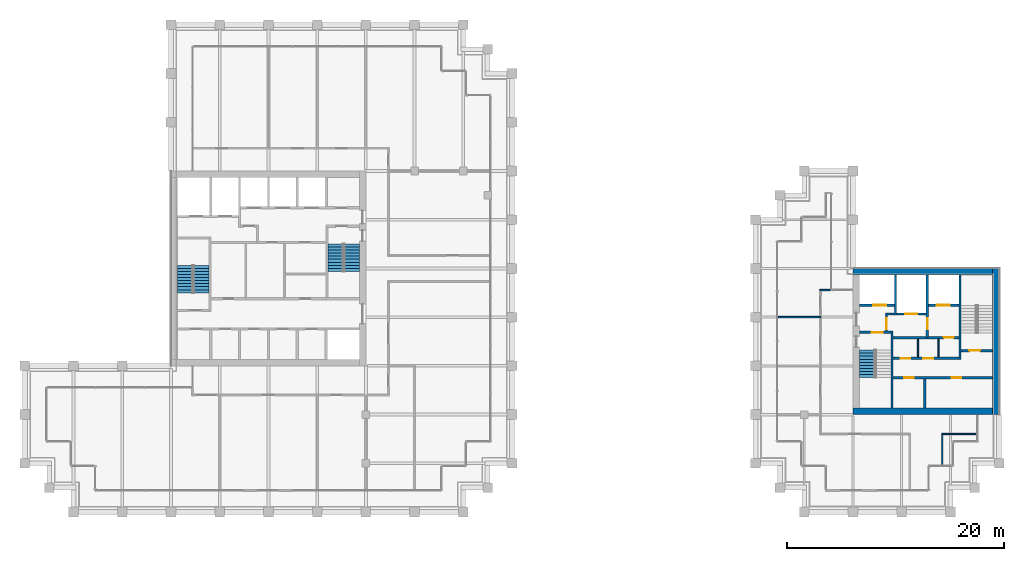
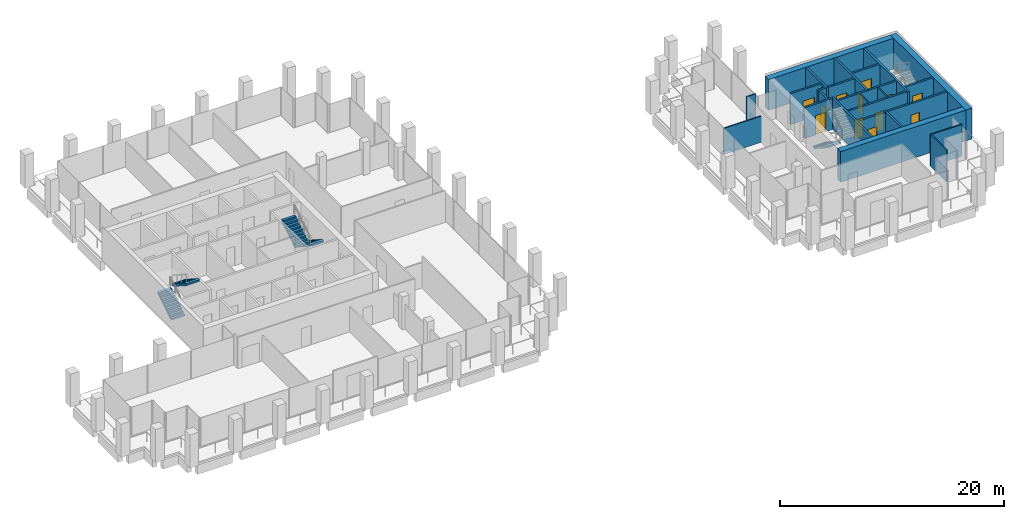
# One storey, part 38 of 40: 24 walls, 12 doors, 5 stair flights, 12 openings, 3 elements without a shape of their own.
"""IFC4 building model written with IfcOpenShell, lengths in metres."""

from ifc_helpers import new_model, si_unit, direction, frame, frame_2d, origin, place, context, subcontext, project, spatial, polyline, rectangle, outline, extrude, material, layer, layer_set, type_object, element, fill, aggregate, save


model = new_model("IFC4")

# Units and contexts
model_context = context("Model", 3, precision=1e-05, world=origin(), true_north=direction((0.0, 1.0)))
body_context = subcontext(model_context, "Body", "Model", "MODEL_VIEW")
ifc_project = project(units=[si_unit("LENGTHUNIT", "METRE"), si_unit("AREAUNIT", "SQUARE_METRE"), si_unit("VOLUMEUNIT", "CUBIC_METRE"), si_unit("PLANEANGLEUNIT", "RADIAN"), si_unit("MASSUNIT", "GRAM", prefix="KILO")], contexts=[model_context])

# Site, building, storey
site_placement = place(None, origin())
site = spatial("IfcSite", under=ifc_project, at=site_placement, CompositionType="ELEMENT")
building_placement = place(site_placement, origin())
building = spatial("IfcBuilding", under=site, at=building_placement, Name="Altepetl Exchange Towers", CompositionType="ELEMENT")
storey_placement = place(building_placement, frame((0.0, 0.0, 169.0)))
storey = spatial("IfcBuildingStorey", under=building, at=storey_placement, Name="L42", CompositionType="ELEMENT", Elevation=169.0)

# Walls
ifc_material_1 = material(Name="Concrete C70/85", Category="concrete")
ifc_layer_1 = layer(ifc_material_1, 0.60009765625)
ifc_layer_set_1 = layer_set([ifc_layer_1], Name="Concrete C70/85")
wall_type_1 = type_object("IfcWallType", Name="Core wall 600 reinforced concrete", PredefinedType="SHEAR", material=ifc_layer_set_1)
wall_1_placement = place(storey_placement, frame((103.5, 36.300048828125, 0.0)))
element("IfcWall", 1, at=wall_1_placement, inside=storey, type_object=wall_type_1, Name="wall:B:L42:K-coreS", PredefinedType="SHEAR", context=body_context, shape_type="SweptSolid", body=[
    extrude(rectangle(XDim=12.89990234375, YDim=0.60009765625, at=frame_2d((6.449951171875, 0.0))), origin(), (0.0, 0.0, 1.0), 3.35009765625),
])
ifc_layer_2 = layer(ifc_material_1, 0.60009765625)
ifc_layer_set_2 = layer_set([ifc_layer_2], Name="Concrete C70/85")
wall_type_2 = type_object("IfcWallType", Name="Core wall 600 reinforced concrete external", PredefinedType="SHEAR", material=ifc_layer_set_2)
wall_2_placement = place(storey_placement, frame((116.699951171875, 36.0, 0.0), z_axis=(0.0, 0.0, 1.0), x_axis=(0.0, 1.0, 0.0)))
element("IfcWall", 2, at=wall_2_placement, inside=storey, type_object=wall_type_2, Name="wall:B:L42:K-coreE", PredefinedType="SHEAR", context=body_context, shape_type="SweptSolid", body=[
    extrude(rectangle(XDim=13.5, YDim=0.60009765625, at=frame_2d((6.75, 0.0))), origin(), (0.0, 0.0, 1.0), 3.35009765625),
])
wall_3_placement = place(storey_placement, frame((103.5, 49.199951171875, 0.0)))
element("IfcWall", 3, at=wall_3_placement, inside=storey, type_object=wall_type_2, Name="wall:B:L42:K-coreN", PredefinedType="SHEAR", context=body_context, shape_type="SweptSolid", body=[
    extrude(rectangle(XDim=12.89990234375, YDim=0.60009765625, at=frame_2d((6.449951171875, 0.0))), origin(), (0.0, 0.0, 1.0), 3.35009765625),
])
ifc_material_2 = material(Name="Concrete blockwork", Category="masonry")
ifc_layer_3 = layer(ifc_material_2, 0.199951171875)
ifc_layer_set_3 = layer_set([ifc_layer_3], Name="Concrete blockwork")
wall_type_3 = type_object("IfcWallType", Name="Lobby wall 200 blockwork", PredefinedType="PARTITIONING", material=ifc_layer_set_3)
wall_4_placement = place(storey_placement, frame((106.5, 45.300048828125, 0.0)))
element("IfcWall", 4, at=wall_4_placement, inside=storey, type_object=wall_type_3, Name="wall:B:L42:K-ffNw", PredefinedType="PARTITIONING", context=body_context, shape_type="SweptSolid", body=[
    extrude(rectangle(XDim=0.833251953125, YDim=0.199951171875, at=frame_2d((0.41650390625, 0.0))), origin(), (0.0, 0.0, 1.0), 3.35009765625),
])

# Wall, opening, door
wall_5_placement = place(storey_placement, frame((106.60009765625, 43.699951171875, 0.0), z_axis=(0.0, 0.0, 1.0), x_axis=(0.0, 1.0, 0.0)))
wall_5 = element("IfcWall", 5, at=wall_5_placement, inside=storey, type_object=wall_type_3, Name="wall:B:L42:K-ffW", PredefinedType="PARTITIONING", context=body_context, shape_type="SweptSolid", body=[
    extrude(rectangle(XDim=1.5, YDim=0.199951171875, at=frame_2d((0.75, 0.0))), origin(), (0.0, 0.0, 1.0), 3.35009765625),
])
opening_1_placement = place(wall_5_placement, frame((0.199951171875, 0.0, 0.0)))
opening_1 = element("IfcOpeningElement", 6, at=opening_1_placement, cuts=wall_5, Name="Opening L42.B65", PredefinedType="OPENING", context=body_context, shape_type="SweptSolid", body=[
    extrude(rectangle(XDim=1.0, YDim=2.10009765625, at=frame_2d((0.5, 1.050048828125))), frame((0.0, 0.10986328125, 0.0), z_axis=(0.0, -1.0, 0.0), x_axis=(1.0, 0.0, 0.0)), (0.0, 0.0, 1.0), 0.219970703125),
])
ifc_material_3 = material(Name="Steel and timber fire door", Category="steel")
door_type_1 = type_object("IfcDoorType", Name="Fire door 1000 x 2100 stair and lobby", OperationType="SINGLE_SWING_LEFT", PredefinedType="DOOR", material=ifc_material_3)
door_1_placement = place(opening_1_placement, frame((1.0, 0.0, 0.0), x_axis=(-1.0, 0.0, 0.0)))
door_1 = element("IfcDoor", 7, at=door_1_placement, inside=storey, type_object=door_type_1, Name="door:B:L42:K-dffW", OperationType="SINGLE_SWING_LEFT", OverallHeight=2.10009765625, OverallWidth=1.0, PredefinedType="DOOR", context=body_context, shape_type="SweptSolid", body=[
    extrude(rectangle(XDim=1.0, YDim=2.10009765625, at=frame_2d((0.5, 1.050048828125))), frame((0.0, 0.02490234375, 0.0), z_axis=(0.0, -1.0, 0.0), x_axis=(1.0, 0.0, 0.0)), (0.0, 0.0, 1.0), 0.050048828125),
])
fill(opening_1, door_1)

wall_6_placement = place(storey_placement, frame((107.199951171875, 43.10009765625, 0.0)))
wall_6 = element("IfcWall", 8, at=wall_6_placement, inside=storey, type_object=wall_type_3, Name="wall:B:L42:K-zoneN", PredefinedType="PARTITIONING", context=body_context, shape_type="SweptSolid", body=[
    extrude(rectangle(XDim=6.10009765625, YDim=0.199951171875, at=frame_2d((3.050048828125, 0.0))), origin(), (0.0, 0.0, 1.0), 3.35009765625),
])
opening_2_placement = place(wall_6_placement, frame((4.699951171875, 0.0, 0.0)))
opening_2 = element("IfcOpeningElement", 9, at=opening_2_placement, cuts=wall_6, Name="Opening L42.B70", PredefinedType="OPENING", context=body_context, shape_type="SweptSolid", body=[
    extrude(rectangle(XDim=0.89990234375, YDim=2.10009765625, at=frame_2d((0.449951171875, 1.050048828125))), frame((0.0, 0.10986328125, 0.0), z_axis=(0.0, -1.0, 0.0), x_axis=(1.0, 0.0, 0.0)), (0.0, 0.0, 1.0), 0.219970703125),
])
door_type_2 = type_object("IfcDoorType", Name="Fire door 900 x 2100 service room", OperationType="SINGLE_SWING_LEFT", PredefinedType="DOOR", material=ifc_material_3)
door_2_placement = place(opening_2_placement, frame((0.89990234375, 0.0, 0.0), x_axis=(-1.0, 0.0, 0.0)))
door_2 = element("IfcDoor", 10, at=door_2_placement, inside=storey, type_object=door_type_2, Name="door:B:L42:K-dz3", OperationType="SINGLE_SWING_LEFT", OverallHeight=2.10009765625, OverallWidth=0.89990234375, PredefinedType="DOOR", context=body_context, shape_type="SweptSolid", body=[
    extrude(rectangle(XDim=0.89990234375, YDim=2.10009765625, at=frame_2d((0.449951171875, 1.050048828125))), frame((0.0, 0.02490234375, 0.0), z_axis=(0.0, -1.0, 0.0), x_axis=(1.0, 0.0, 0.0)), (0.0, 0.0, 1.0), 0.050048828125),
])
fill(opening_2, door_2)

# Wall, openings, doors
wall_7_placement = place(storey_placement, frame((107.199951171875, 41.199951171875, 0.0)))
wall_7 = element("IfcWall", 11, at=wall_7_placement, inside=storey, type_object=wall_type_3, Name="wall:B:L42:K-zoneS", PredefinedType="PARTITIONING", context=body_context, shape_type="SweptSolid", body=[
    extrude(rectangle(XDim=6.10009765625, YDim=0.199951171875, at=frame_2d((3.050048828125, 0.0))), origin(), (0.0, 0.0, 1.0), 3.35009765625),
])
opening_3_placement = place(wall_7_placement, frame((0.699951171875, 0.0, 0.0)))
opening_3 = element("IfcOpeningElement", 12, at=opening_3_placement, cuts=wall_7, Name="Opening L42.B68", PredefinedType="OPENING", context=body_context, shape_type="SweptSolid", body=[
    extrude(rectangle(XDim=0.89990234375, YDim=2.10009765625, at=frame_2d((0.449951171875, 1.050048828125))), frame((0.0, 0.10986328125, 0.0), z_axis=(0.0, -1.0, 0.0), x_axis=(1.0, 0.0, 0.0)), (0.0, 0.0, 1.0), 0.219970703125),
])
opening_4_placement = place(wall_7_placement, frame((2.800048828125, 0.0, 0.0)))
opening_4 = element("IfcOpeningElement", 13, at=opening_4_placement, cuts=wall_7, Name="Opening L42.B69", PredefinedType="OPENING", context=body_context, shape_type="SweptSolid", body=[
    extrude(rectangle(XDim=0.89990234375, YDim=2.10009765625, at=frame_2d((0.449951171875, 1.050048828125))), frame((0.0, 0.10986328125, 0.0), z_axis=(0.0, -1.0, 0.0), x_axis=(1.0, 0.0, 0.0)), (0.0, 0.0, 1.0), 0.219970703125),
])
door_3_placement = place(opening_3_placement, origin())
door_3 = element("IfcDoor", 14, at=door_3_placement, inside=storey, type_object=door_type_2, Name="door:B:L42:K-dz1", OperationType="SINGLE_SWING_RIGHT", OverallHeight=2.10009765625, OverallWidth=0.89990234375, PredefinedType="DOOR", context=body_context, shape_type="SweptSolid", body=[
    extrude(rectangle(XDim=0.89990234375, YDim=2.10009765625, at=frame_2d((0.449951171875, 1.050048828125))), frame((0.0, 0.02490234375, 0.0), z_axis=(0.0, -1.0, 0.0), x_axis=(1.0, 0.0, 0.0)), (0.0, 0.0, 1.0), 0.050048828125),
])
fill(opening_3, door_3)
door_4_placement = place(opening_4_placement, origin())
door_4 = element("IfcDoor", 15, at=door_4_placement, inside=storey, type_object=door_type_2, Name="door:B:L42:K-dz2", OperationType="SINGLE_SWING_RIGHT", OverallHeight=2.10009765625, OverallWidth=0.89990234375, PredefinedType="DOOR", context=body_context, shape_type="SweptSolid", body=[
    extrude(rectangle(XDim=0.89990234375, YDim=2.10009765625, at=frame_2d((0.449951171875, 1.050048828125))), frame((0.0, 0.02490234375, 0.0), z_axis=(0.0, -1.0, 0.0), x_axis=(1.0, 0.0, 0.0)), (0.0, 0.0, 1.0), 0.050048828125),
])
fill(opening_4, door_4)

# Walls
ifc_material_4 = material(Name="Gypsum board on steel studs", Category="steel")
ifc_layer_4 = layer(ifc_material_4, 0.125)
ifc_layer_set_4 = layer_set([ifc_layer_4], Name="Gypsum board on steel studs")
wall_type_4 = type_object("IfcWallType", Name="Partition 125 gypsum board on steel studs", PredefinedType="PARTITIONING", material=ifc_layer_set_4)
for number, where, z_axis, x_axis, name in (
    (16, (109.5, 41.300048828125, 0.0), (0.0, 0.0, 1.0), (0.0, 1.0, 0.0), "wall:B:L42:K-zp1"),
    (17, (111.39990234375, 41.300048828125, 0.0), (0.0, 0.0, 1.0), (0.0, 1.0, 0.0), "wall:B:L42:K-zp2"),
):
    element("IfcWall", number, at=place(storey_placement, frame(where, z_axis=z_axis, x_axis=x_axis)), inside=storey, type_object=wall_type_4, Name=name, PredefinedType="PARTITIONING", context=body_context, shape_type="SweptSolid", body=[
        extrude(rectangle(XDim=1.699951171875, YDim=0.125, at=frame_2d((0.85009765625, 0.0))), origin(), (0.0, 0.0, 1.0), 3.35009765625),
    ])
wall_8_placement = place(storey_placement, frame((111.6875, 34.199951171875, 0.0)))
element("IfcWall", 18, at=wall_8_placement, inside=storey, type_object=wall_type_4, Name="wall:B:L42:P02", PredefinedType="PARTITIONING", context=body_context, shape_type="SweptSolid", body=[
    extrude(rectangle(XDim=3.21240234375, YDim=0.125, at=frame_2d((1.606201171875, 0.0))), origin(), (0.0, 0.0, 1.0), 3.449951171875),
])
wall_9_placement = place(storey_placement, frame((96.60009765625, 45.0, 0.0)))
element("IfcWall", 19, at=wall_9_placement, inside=storey, type_object=wall_type_4, Name="wall:B:L42:P06", PredefinedType="PARTITIONING", context=body_context, shape_type="SweptSolid", body=[
    extrude(rectangle(XDim=3.89990234375, YDim=0.125, at=frame_2d((1.949951171875, 0.0))), origin(), (0.0, 0.0, 1.0), 2.85107421875),
])
wall_10_placement = place(storey_placement, frame((100.4375, 47.5, 0.0)))
element("IfcWall", 20, at=wall_10_placement, inside=storey, type_object=wall_type_4, Name="wall:B:L42:P07", PredefinedType="PARTITIONING", context=body_context, shape_type="SweptSolid", body=[
    extrude(rectangle(XDim=0.96240234375, YDim=0.125, at=frame_2d((0.481201171875, 0.0))), origin(), (0.0, 0.0, 1.0), 3.449951171875),
])
wall_11_placement = place(storey_placement, frame((111.75, 31.35009765625, 0.0), z_axis=(0.0, 0.0, 1.0), x_axis=(0.0, 1.0, 0.0)))
element("IfcWall", 21, at=wall_11_placement, inside=storey, type_object=wall_type_4, Name="wall:B:L42:P10", PredefinedType="PARTITIONING", context=body_context, shape_type="SweptSolid", body=[
    extrude(rectangle(XDim=2.787353515625, YDim=0.125, at=frame_2d((1.3935546875, 0.0))), origin(), (0.0, 0.0, 1.0), 3.449951171875),
])
ifc_material_5 = material(Name="Concrete C40/50", Category="concrete")
ifc_layer_5 = layer(ifc_material_5, 0.199951171875)
ifc_layer_set_5 = layer_set([ifc_layer_5], Name="Concrete C40/50")
wall_type_5 = type_object("IfcWallType", Name="Shaft wall 200 reinforced concrete", PredefinedType="SHEAR", material=ifc_layer_set_5)
wall_12_placement = place(storey_placement, frame((107.433349609375, 48.89990234375, 0.0), z_axis=(0.0, 0.0, 1.0), x_axis=(0.0, -1.0, 0.0)))
element("IfcWall", 22, at=wall_12_placement, inside=storey, type_object=wall_type_5, Name="wall:B:L42:K-divN1", PredefinedType="SHEAR", context=body_context, shape_type="SweptSolid", body=[
    extrude(rectangle(XDim=3.699951171875, YDim=0.199951171875, at=frame_2d((1.85009765625, 0.0))), origin(), (0.0, 0.0, 1.0), 3.35009765625),
])

# Wall, opening, door
wall_13_placement = place(storey_placement, frame((110.36669921875, 48.89990234375, 0.0), z_axis=(0.0, 0.0, 1.0), x_axis=(0.0, -1.0, 0.0)))
wall_13 = element("IfcWall", 23, at=wall_13_placement, inside=storey, type_object=wall_type_5, Name="wall:B:L42:K-divN2", PredefinedType="SHEAR", context=body_context, shape_type="SweptSolid", body=[
    extrude(rectangle(XDim=5.7998046875, YDim=0.199951171875, at=frame_2d((2.89990234375, 0.0))), origin(), (0.0, 0.0, 1.0), 3.35009765625),
])
opening_5_placement = place(wall_13_placement, frame((4.0, 0.0, 0.0)))
opening_5 = element("IfcOpeningElement", 24, at=opening_5_placement, cuts=wall_13, Name="Opening L42.B64", PredefinedType="OPENING", context=body_context, shape_type="SweptSolid", body=[
    extrude(rectangle(XDim=1.0, YDim=2.10009765625, at=frame_2d((0.5, 1.050048828125))), frame((0.0, 0.10986328125, 0.0), z_axis=(0.0, -1.0, 0.0), x_axis=(1.0, 0.0, 0.0)), (0.0, 0.0, 1.0), 0.219970703125),
])
door_5_placement = place(opening_5_placement, frame((1.0, 0.0, 0.0), x_axis=(-1.0, 0.0, 0.0)))
door_5 = element("IfcDoor", 25, at=door_5_placement, inside=storey, type_object=door_type_1, Name="door:B:L42:K-dffE", OperationType="SINGLE_SWING_RIGHT", OverallHeight=2.10009765625, OverallWidth=1.0, PredefinedType="DOOR", context=body_context, shape_type="SweptSolid", body=[
    extrude(rectangle(XDim=1.0, YDim=2.10009765625, at=frame_2d((0.5, 1.050048828125))), frame((0.0, 0.02490234375, 0.0), z_axis=(0.0, -1.0, 0.0), x_axis=(1.0, 0.0, 0.0)), (0.0, 0.0, 1.0), 0.050048828125),
])
fill(opening_5, door_5)

wall_14_placement = place(storey_placement, frame((104.10009765625, 46.10009765625, 0.0)))
wall_14 = element("IfcWall", 26, at=wall_14_placement, inside=storey, type_object=wall_type_5, Name="wall:B:L42:K-frontNa", PredefinedType="SHEAR", context=body_context, shape_type="SweptSolid", body=[
    extrude(rectangle(XDim=3.233154296875, YDim=0.199951171875, at=frame_2d((1.61669921875, 0.0))), origin(), (0.0, 0.0, 1.0), 3.35009765625),
])
opening_6_placement = place(wall_14_placement, frame((1.2666015625, 0.0, 0.0)))
opening_6 = element("IfcOpeningElement", 27, at=opening_6_placement, cuts=wall_14, Name="Opening L42.B72", PredefinedType="OPENING", context=body_context, shape_type="SweptSolid", body=[
    extrude(rectangle(XDim=1.199951171875, YDim=2.10009765625, at=frame_2d((0.60009765625, 1.050048828125))), frame((0.0, 0.10986328125, 0.0), z_axis=(0.0, -1.0, 0.0), x_axis=(1.0, 0.0, 0.0)), (0.0, 0.0, 1.0), 0.219970703125),
])
ifc_material_6 = material(Name="Stainless steel", Category="steel")
door_type_3 = type_object("IfcDoorType", Name="Lift landing door 1200 x 2100", OperationType="SLIDING_TO_LEFT", PredefinedType="DOOR", material=ifc_material_6)
door_6_placement = place(opening_6_placement, origin())
door_6 = element("IfcDoor", 28, at=door_6_placement, inside=storey, type_object=door_type_3, Name="Landing door P4", OperationType="SLIDING_TO_LEFT", OverallHeight=2.10009765625, OverallWidth=1.199951171875, PredefinedType="DOOR", context=body_context, shape_type="SweptSolid", body=[
    extrude(rectangle(XDim=1.199951171875, YDim=2.10009765625, at=frame_2d((0.60009765625, 1.050048828125))), frame((0.0, 0.02490234375, 0.0), z_axis=(0.0, -1.0, 0.0), x_axis=(1.0, 0.0, 0.0)), (0.0, 0.0, 1.0), 0.050048828125),
])
fill(opening_6, door_6)

wall_15_placement = place(storey_placement, frame((110.466796875, 46.10009765625, 0.0)))
wall_15 = element("IfcWall", 29, at=wall_15_placement, inside=storey, type_object=wall_type_5, Name="wall:B:L42:K-frontNb", PredefinedType="SHEAR", context=body_context, shape_type="SweptSolid", body=[
    extrude(rectangle(XDim=2.833251953125, YDim=0.199951171875, at=frame_2d((1.41650390625, 0.0))), origin(), (0.0, 0.0, 1.0), 3.35009765625),
])
opening_7_placement = place(wall_15_placement, frame((0.7666015625, 0.0, 0.0)))
opening_7 = element("IfcOpeningElement", 30, at=opening_7_placement, cuts=wall_15, Name="Opening L42.B73", PredefinedType="OPENING", context=body_context, shape_type="SweptSolid", body=[
    extrude(rectangle(XDim=1.199951171875, YDim=2.10009765625, at=frame_2d((0.60009765625, 1.050048828125))), frame((0.0, 0.10986328125, 0.0), z_axis=(0.0, -1.0, 0.0), x_axis=(1.0, 0.0, 0.0)), (0.0, 0.0, 1.0), 0.219970703125),
])
door_7_placement = place(opening_7_placement, origin())
door_7 = element("IfcDoor", 31, at=door_7_placement, inside=storey, type_object=door_type_3, Name="Landing door P5", OperationType="SLIDING_TO_LEFT", OverallHeight=2.10009765625, OverallWidth=1.199951171875, PredefinedType="DOOR", context=body_context, shape_type="SweptSolid", body=[
    extrude(rectangle(XDim=1.199951171875, YDim=2.10009765625, at=frame_2d((0.60009765625, 1.050048828125))), frame((0.0, 0.02490234375, 0.0), z_axis=(0.0, -1.0, 0.0), x_axis=(1.0, 0.0, 0.0)), (0.0, 0.0, 1.0), 0.050048828125),
])
fill(opening_7, door_7)

wall_16_placement = place(storey_placement, frame((107.533203125, 45.300048828125, 0.0)))
wall_16 = element("IfcWall", 32, at=wall_16_placement, inside=storey, type_object=wall_type_5, Name="wall:B:L42:K-frontNd", PredefinedType="SHEAR", context=body_context, shape_type="SweptSolid", body=[
    extrude(rectangle(XDim=2.7333984375, YDim=0.199951171875, at=frame_2d((1.36669921875, 0.0))), origin(), (0.0, 0.0, 1.0), 3.35009765625),
])
opening_8_placement = place(wall_16_placement, frame((0.816650390625, 0.0, 0.0)))
opening_8 = element("IfcOpeningElement", 33, at=opening_8_placement, cuts=wall_16, Name="Opening L42.B71", PredefinedType="OPENING", context=body_context, shape_type="SweptSolid", body=[
    extrude(rectangle(XDim=1.10009765625, YDim=2.10009765625, at=frame_2d((0.550048828125, 1.050048828125))), frame((0.0, 0.10986328125, 0.0), z_axis=(0.0, -1.0, 0.0), x_axis=(1.0, 0.0, 0.0)), (0.0, 0.0, 1.0), 0.219970703125),
])
door_type_4 = type_object("IfcDoorType", Name="Lift landing door 1100 x 2100", OperationType="SLIDING_TO_LEFT", PredefinedType="DOOR", material=ifc_material_6)
door_8_placement = place(opening_8_placement, origin())
door_8 = element("IfcDoor", 34, at=door_8_placement, inside=storey, type_object=door_type_4, Name="Landing door FFL1", OperationType="SLIDING_TO_LEFT", OverallHeight=2.10009765625, OverallWidth=1.10009765625, PredefinedType="DOOR", context=body_context, shape_type="SweptSolid", body=[
    extrude(rectangle(XDim=1.10009765625, YDim=2.10009765625, at=frame_2d((0.550048828125, 1.050048828125))), frame((0.0, 0.02490234375, 0.0), z_axis=(0.0, -1.0, 0.0), x_axis=(1.0, 0.0, 0.0)), (0.0, 0.0, 1.0), 0.050048828125),
])
fill(opening_8, door_8)

# Wall, openings, doors
wall_17_placement = place(storey_placement, frame((107.199951171875, 39.39990234375, 0.0)))
wall_17 = element("IfcWall", 35, at=wall_17_placement, inside=storey, type_object=wall_type_5, Name="wall:B:L42:K-frontS", PredefinedType="SHEAR", context=body_context, shape_type="SweptSolid", body=[
    extrude(rectangle(XDim=9.199951171875, YDim=0.199951171875, at=frame_2d((4.60009765625, 0.0))), origin(), (0.0, 0.0, 1.0), 3.35009765625),
])
opening_9_placement = place(wall_17_placement, frame((1.0166015625, 0.0, 0.0)))
opening_9 = element("IfcOpeningElement", 36, at=opening_9_placement, cuts=wall_17, Name="Opening L42.B66", PredefinedType="OPENING", context=body_context, shape_type="SweptSolid", body=[
    extrude(rectangle(XDim=0.89990234375, YDim=2.10009765625, at=frame_2d((0.449951171875, 1.050048828125))), frame((0.0, 0.10986328125, 0.0), z_axis=(0.0, -1.0, 0.0), x_axis=(1.0, 0.0, 0.0)), (0.0, 0.0, 1.0), 0.219970703125),
])
opening_10_placement = place(wall_17_placement, frame((5.416748046875, 0.0, 0.0)))
opening_10 = element("IfcOpeningElement", 37, at=opening_10_placement, cuts=wall_17, Name="Opening L42.B67", PredefinedType="OPENING", context=body_context, shape_type="SweptSolid", body=[
    extrude(rectangle(XDim=0.89990234375, YDim=2.10009765625, at=frame_2d((0.449951171875, 1.050048828125))), frame((0.0, 0.10986328125, 0.0), z_axis=(0.0, -1.0, 0.0), x_axis=(1.0, 0.0, 0.0)), (0.0, 0.0, 1.0), 0.219970703125),
])
door_9_placement = place(opening_9_placement, frame((0.89990234375, 0.0, 0.0), x_axis=(-1.0, 0.0, 0.0)))
door_9 = element("IfcDoor", 38, at=door_9_placement, inside=storey, type_object=door_type_2, Name="door:B:L42:K-dslotS0", OperationType="SINGLE_SWING_LEFT", OverallHeight=2.10009765625, OverallWidth=0.89990234375, PredefinedType="DOOR", context=body_context, shape_type="SweptSolid", body=[
    extrude(rectangle(XDim=0.89990234375, YDim=2.10009765625, at=frame_2d((0.449951171875, 1.050048828125))), frame((0.0, 0.02490234375, 0.0), z_axis=(0.0, -1.0, 0.0), x_axis=(1.0, 0.0, 0.0)), (0.0, 0.0, 1.0), 0.050048828125),
])
fill(opening_9, door_9)
door_10_placement = place(opening_10_placement, frame((0.89990234375, 0.0, 0.0), x_axis=(-1.0, 0.0, 0.0)))
door_10 = element("IfcDoor", 39, at=door_10_placement, inside=storey, type_object=door_type_2, Name="door:B:L42:K-dslotS1", OperationType="SINGLE_SWING_LEFT", OverallHeight=2.10009765625, OverallWidth=0.89990234375, PredefinedType="DOOR", context=body_context, shape_type="SweptSolid", body=[
    extrude(rectangle(XDim=0.89990234375, YDim=2.10009765625, at=frame_2d((0.449951171875, 1.050048828125))), frame((0.0, 0.02490234375, 0.0), z_axis=(0.0, -1.0, 0.0), x_axis=(1.0, 0.0, 0.0)), (0.0, 0.0, 1.0), 0.050048828125),
])
fill(opening_10, door_10)

# Walls
ifc_layer_6 = layer(ifc_material_1, 0.199951171875)
ifc_layer_set_6 = layer_set([ifc_layer_6], Name="Concrete C70/85")
wall_type_6 = type_object("IfcWallType", Name="Shear wall 200 reinforced concrete", PredefinedType="SHEAR", material=ifc_layer_set_6)
wall_18_placement = place(storey_placement, frame((110.13330078125, 36.60009765625, 0.0), z_axis=(0.0, 0.0, 1.0), x_axis=(0.0, 1.0, 0.0)))
element("IfcWall", 40, at=wall_18_placement, inside=storey, type_object=wall_type_6, Name="wall:B:L42:K-divS1", PredefinedType="SHEAR", context=body_context, shape_type="SweptSolid", body=[
    extrude(rectangle(XDim=2.699951171875, YDim=0.199951171875, at=frame_2d((1.35009765625, 0.0))), origin(), (0.0, 0.0, 1.0), 3.35009765625),
])
ifc_layer_7 = layer(ifc_material_5, 0.199951171875)
ifc_layer_set_7 = layer_set([ifc_layer_7], Name="Concrete C40/50")
wall_type_7 = type_object("IfcWallType", Name="Stair wall 200 reinforced concrete", PredefinedType="SHEAR", material=ifc_layer_set_7)
wall_19_placement = place(storey_placement, frame((107.10009765625, 36.60009765625, 0.0), z_axis=(0.0, 0.0, 1.0), x_axis=(0.0, 1.0, 0.0)))
element("IfcWall", 41, at=wall_19_placement, inside=storey, type_object=wall_type_7, Name="wall:B:L42:K-stS1E", PredefinedType="SHEAR", context=body_context, shape_type="SweptSolid", body=[
    extrude(rectangle(XDim=7.099853515625, YDim=0.199951171875, at=frame_2d((3.5498046875, 0.0))), origin(), (0.0, 0.0, 1.0), 3.35009765625),
])

# Wall, opening, door
wall_20_placement = place(storey_placement, frame((104.10009765625, 43.60009765625, 0.0)))
wall_20 = element("IfcWall", 42, at=wall_20_placement, inside=storey, type_object=wall_type_7, Name="wall:B:L42:K-stS1N", PredefinedType="SHEAR", context=body_context, shape_type="SweptSolid", body=[
    extrude(rectangle(XDim=2.89990234375, YDim=0.199951171875, at=frame_2d((1.449951171875, 0.0))), origin(), (0.0, 0.0, 1.0), 3.35009765625),
])
opening_11_placement = place(wall_20_placement, frame((1.14990234375, 0.0, 0.0)))
opening_11 = element("IfcOpeningElement", 43, at=opening_11_placement, cuts=wall_20, Name="Opening L42.B61", PredefinedType="OPENING", context=body_context, shape_type="SweptSolid", body=[
    extrude(rectangle(XDim=1.0, YDim=2.10009765625, at=frame_2d((0.5, 1.050048828125))), frame((0.0, 0.10986328125, 0.0), z_axis=(0.0, -1.0, 0.0), x_axis=(1.0, 0.0, 0.0)), (0.0, 0.0, 1.0), 0.219970703125),
])
door_11_placement = place(opening_11_placement, frame((1.0, 0.0, 0.0), x_axis=(-1.0, 0.0, 0.0)))
door_11 = element("IfcDoor", 44, at=door_11_placement, inside=storey, type_object=door_type_1, Name="door:B:L42:K-dS1in", OperationType="SINGLE_SWING_LEFT", OverallHeight=2.10009765625, OverallWidth=1.0, PredefinedType="DOOR", context=body_context, shape_type="SweptSolid", body=[
    extrude(rectangle(XDim=1.0, YDim=2.10009765625, at=frame_2d((0.5, 1.050048828125))), frame((0.0, 0.02490234375, 0.0), z_axis=(0.0, -1.0, 0.0), x_axis=(1.0, 0.0, 0.0)), (0.0, 0.0, 1.0), 0.050048828125),
])
fill(opening_11, door_11)

wall_21_placement = place(storey_placement, frame((113.5, 41.89990234375, 0.0)))
wall_21 = element("IfcWall", 45, at=wall_21_placement, inside=storey, type_object=wall_type_7, Name="wall:B:L42:K-stS2S", PredefinedType="SHEAR", context=body_context, shape_type="SweptSolid", body=[
    extrude(rectangle(XDim=2.89990234375, YDim=0.199951171875, at=frame_2d((1.449951171875, 0.0))), origin(), (0.0, 0.0, 1.0), 3.35009765625),
])
opening_12_placement = place(wall_21_placement, frame((0.75, 0.0, 0.0)))
opening_12 = element("IfcOpeningElement", 46, at=opening_12_placement, cuts=wall_21, Name="Opening L42.B63", PredefinedType="OPENING", context=body_context, shape_type="SweptSolid", body=[
    extrude(rectangle(XDim=1.0, YDim=2.10009765625, at=frame_2d((0.5, 1.050048828125))), frame((0.0, 0.10986328125, 0.0), z_axis=(0.0, -1.0, 0.0), x_axis=(1.0, 0.0, 0.0)), (0.0, 0.0, 1.0), 0.219970703125),
])
door_12_placement = place(opening_12_placement, origin())
door_12 = element("IfcDoor", 47, at=door_12_placement, inside=storey, type_object=door_type_1, Name="door:B:L42:K-dS2in", OperationType="SINGLE_SWING_RIGHT", OverallHeight=2.10009765625, OverallWidth=1.0, PredefinedType="DOOR", context=body_context, shape_type="SweptSolid", body=[
    extrude(rectangle(XDim=1.0, YDim=2.10009765625, at=frame_2d((0.5, 1.050048828125))), frame((0.0, 0.02490234375, 0.0), z_axis=(0.0, -1.0, 0.0), x_axis=(1.0, 0.0, 0.0)), (0.0, 0.0, 1.0), 0.050048828125),
])
fill(opening_12, door_12)

# Wall
wall_22_placement = place(storey_placement, frame((113.39990234375, 41.10009765625, 0.0), z_axis=(0.0, 0.0, 1.0), x_axis=(0.0, 1.0, 0.0)))
element("IfcWall", 48, at=wall_22_placement, inside=storey, type_object=wall_type_7, Name="wall:B:L42:K-stS2W", PredefinedType="SHEAR", context=body_context, shape_type="SweptSolid", body=[
    extrude(rectangle(XDim=7.7998046875, YDim=0.199951171875, at=frame_2d((3.89990234375, 0.0))), origin(), (0.0, 0.0, 1.0), 3.35009765625),
])

# Stair, stair flights
stair_type = type_object("IfcStairType", Name="Exit stair 1400 flights dogleg", PredefinedType="HALF_TURN_STAIR", material=ifc_material_5)
stair_1_placement = place(storey_placement, origin())
stair_1 = element("IfcStair", 49, at=stair_1_placement, inside=storey, type_object=stair_type, Name="Exit stair 1", PredefinedType="HALF_TURN_STAIR")
stair_flight_type = type_object("IfcStairFlightType", Name="Stair flight 1400 wide", PredefinedType="STRAIGHT", material=ifc_material_5)
stair_flight_1_placement = place(storey_placement, frame((41.800048828125, 47.25, 0.0), z_axis=(0.0, 0.0, 1.0), x_axis=(0.0, 1.0, 0.0)))
stair_flight_1 = element("IfcStairFlight", 50, at=stair_flight_1_placement, type_object=stair_flight_type, Name="ST-A1e flight 1", NumberOfRisers=10, NumberOfTreads=9, PredefinedType="STRAIGHT", RiserHeight=0.18, TreadLength=0.28, context=body_context, shape_type="SweptSolid", body=[
    extrude(outline(polyline([(0.0, 0.0), (0.0, 0.179931640625), (0.280029296875, 0.179931640625), (0.280029296875, 0.360107421875), (0.56005859375, 0.360107421875), (0.56005859375, 0.5400390625), (0.840087890625, 0.5400390625), (0.840087890625, 0.719970703125), (1.1201171875, 0.719970703125), (1.1201171875, 0.89990234375), (1.39990234375, 0.89990234375), (1.39990234375, 1.080078125), (1.679931640625, 1.080078125), (1.679931640625, 1.260009765625), (1.9599609375, 1.260009765625), (1.9599609375, 1.43994140625), (2.239990234375, 1.43994140625), (2.239990234375, 1.6201171875), (2.52001953125, 1.6201171875), (2.52001953125, 1.800048828125), (2.52001953125, 1.44189453125), (0.277099609375, 0.0), (0.0, 0.0)])), frame((0.0, 0.699951171875, 0.0), z_axis=(0.0, -1.0, 0.0), x_axis=(1.0, 0.0, 0.0)), (0.0, 0.0, 1.0), 1.39990234375),
])
stair_flight_2_placement = place(storey_placement, frame((43.300048828125, 49.77001953125, 1.800048828125), z_axis=(0.0, 0.0, 1.0), x_axis=(0.0, -1.0, 0.0)))
stair_flight_2 = element("IfcStairFlight", 51, at=stair_flight_2_placement, type_object=stair_flight_type, Name="ST-A1e flight 2", NumberOfRisers=10, NumberOfTreads=9, PredefinedType="STRAIGHT", RiserHeight=0.18, TreadLength=0.28, context=body_context, shape_type="SweptSolid", body=[
    extrude(outline(polyline([(0.0, 0.0), (0.0, 0.179931640625), (0.280029296875, 0.179931640625), (0.280029296875, 0.360107421875), (0.56005859375, 0.360107421875), (0.56005859375, 0.5400390625), (0.840087890625, 0.5400390625), (0.840087890625, 0.719970703125), (1.1201171875, 0.719970703125), (1.1201171875, 0.89990234375), (1.39990234375, 0.89990234375), (1.39990234375, 1.080078125), (1.679931640625, 1.080078125), (1.679931640625, 1.260009765625), (1.9599609375, 1.260009765625), (1.9599609375, 1.43994140625), (2.239990234375, 1.43994140625), (2.239990234375, 1.6201171875), (2.52001953125, 1.6201171875), (2.52001953125, 1.800048828125), (2.52001953125, 1.44189453125), (0.277099609375, 0.0), (0.0, 0.0)])), frame((0.0, 0.699951171875, 0.0), z_axis=(0.0, -1.0, 0.0), x_axis=(1.0, 0.0, 0.0)), (0.0, 0.0, 1.0), 1.39990234375),
])
aggregate(stair_1, [stair_flight_1, stair_flight_2])

stair_2_placement = place(storey_placement, origin())
stair_2 = element("IfcStair", 52, at=stair_2_placement, inside=storey, type_object=stair_type, Name="Exit stair 2", PredefinedType="HALF_TURN_STAIR")
stair_flight_3_placement = place(storey_placement, frame((57.199951171875, 51.75, 0.0), z_axis=(0.0, 0.0, 1.0), x_axis=(0.0, -1.0, 0.0)))
stair_flight_3 = element("IfcStairFlight", 53, at=stair_flight_3_placement, type_object=stair_flight_type, Name="ST-A2e flight 1", NumberOfRisers=10, NumberOfTreads=9, PredefinedType="STRAIGHT", RiserHeight=0.18, TreadLength=0.28, context=body_context, shape_type="SweptSolid", body=[
    extrude(outline(polyline([(0.0, 0.0), (0.0, 0.179931640625), (0.280029296875, 0.179931640625), (0.280029296875, 0.360107421875), (0.56005859375, 0.360107421875), (0.56005859375, 0.5400390625), (0.840087890625, 0.5400390625), (0.840087890625, 0.719970703125), (1.1201171875, 0.719970703125), (1.1201171875, 0.89990234375), (1.39990234375, 0.89990234375), (1.39990234375, 1.080078125), (1.679931640625, 1.080078125), (1.679931640625, 1.260009765625), (1.9599609375, 1.260009765625), (1.9599609375, 1.43994140625), (2.239990234375, 1.43994140625), (2.239990234375, 1.6201171875), (2.52001953125, 1.6201171875), (2.52001953125, 1.800048828125), (2.52001953125, 1.44189453125), (0.277099609375, 0.0), (0.0, 0.0)])), frame((0.0, 0.699951171875, 0.0), z_axis=(0.0, -1.0, 0.0), x_axis=(1.0, 0.0, 0.0)), (0.0, 0.0, 1.0), 1.39990234375),
])
stair_flight_4_placement = place(storey_placement, frame((55.699951171875, 49.22998046875, 1.800048828125), z_axis=(0.0, 0.0, 1.0), x_axis=(0.0, 1.0, 0.0)))
stair_flight_4 = element("IfcStairFlight", 54, at=stair_flight_4_placement, type_object=stair_flight_type, Name="ST-A2e flight 2", NumberOfRisers=10, NumberOfTreads=9, PredefinedType="STRAIGHT", RiserHeight=0.18, TreadLength=0.28, context=body_context, shape_type="SweptSolid", body=[
    extrude(outline(polyline([(0.0, 0.0), (0.0, 0.179931640625), (0.280029296875, 0.179931640625), (0.280029296875, 0.360107421875), (0.56005859375, 0.360107421875), (0.56005859375, 0.5400390625), (0.840087890625, 0.5400390625), (0.840087890625, 0.719970703125), (1.1201171875, 0.719970703125), (1.1201171875, 0.89990234375), (1.39990234375, 0.89990234375), (1.39990234375, 1.080078125), (1.679931640625, 1.080078125), (1.679931640625, 1.260009765625), (1.9599609375, 1.260009765625), (1.9599609375, 1.43994140625), (2.239990234375, 1.43994140625), (2.239990234375, 1.6201171875), (2.52001953125, 1.6201171875), (2.52001953125, 1.800048828125), (2.52001953125, 1.44189453125), (0.277099609375, 0.0), (0.0, 0.0)])), frame((0.0, 0.699951171875, 0.0), z_axis=(0.0, -1.0, 0.0), x_axis=(1.0, 0.0, 0.0)), (0.0, 0.0, 1.0), 1.39990234375),
])
aggregate(stair_2, [stair_flight_3, stair_flight_4])

# Stair, stair flight
stair_3_placement = place(storey_placement, origin())
stair_3 = element("IfcStair", 55, at=stair_3_placement, inside=storey, type_object=stair_type, Name="Exit stair 1", PredefinedType="HALF_TURN_STAIR")
stair_flight_5_placement = place(storey_placement, frame((104.800048828125, 41.949951171875, 0.0), z_axis=(0.0, 0.0, 1.0), x_axis=(0.0, -1.0, 0.0)))
stair_flight_5 = element("IfcStairFlight", 56, at=stair_flight_5_placement, type_object=stair_flight_type, Name="ST-B1e flight 1", NumberOfRisers=10, NumberOfTreads=9, PredefinedType="STRAIGHT", RiserHeight=0.18, TreadLength=0.28, context=body_context, shape_type="SweptSolid", body=[
    extrude(outline(polyline([(0.0, 0.0), (0.0, 0.179931640625), (0.280029296875, 0.179931640625), (0.280029296875, 0.360107421875), (0.56005859375, 0.360107421875), (0.56005859375, 0.5400390625), (0.840087890625, 0.5400390625), (0.840087890625, 0.719970703125), (1.1201171875, 0.719970703125), (1.1201171875, 0.89990234375), (1.39990234375, 0.89990234375), (1.39990234375, 1.080078125), (1.679931640625, 1.080078125), (1.679931640625, 1.260009765625), (1.9599609375, 1.260009765625), (1.9599609375, 1.43994140625), (2.239990234375, 1.43994140625), (2.239990234375, 1.6201171875), (2.52001953125, 1.6201171875), (2.52001953125, 1.800048828125), (2.52001953125, 1.44189453125), (0.277099609375, 0.0), (0.0, 0.0)])), frame((0.0, 0.699951171875, 0.0), z_axis=(0.0, -1.0, 0.0), x_axis=(1.0, 0.0, 0.0)), (0.0, 0.0, 1.0), 1.39990234375),
])
aggregate(stair_3, [stair_flight_5])

save(model, "model.ifc")
